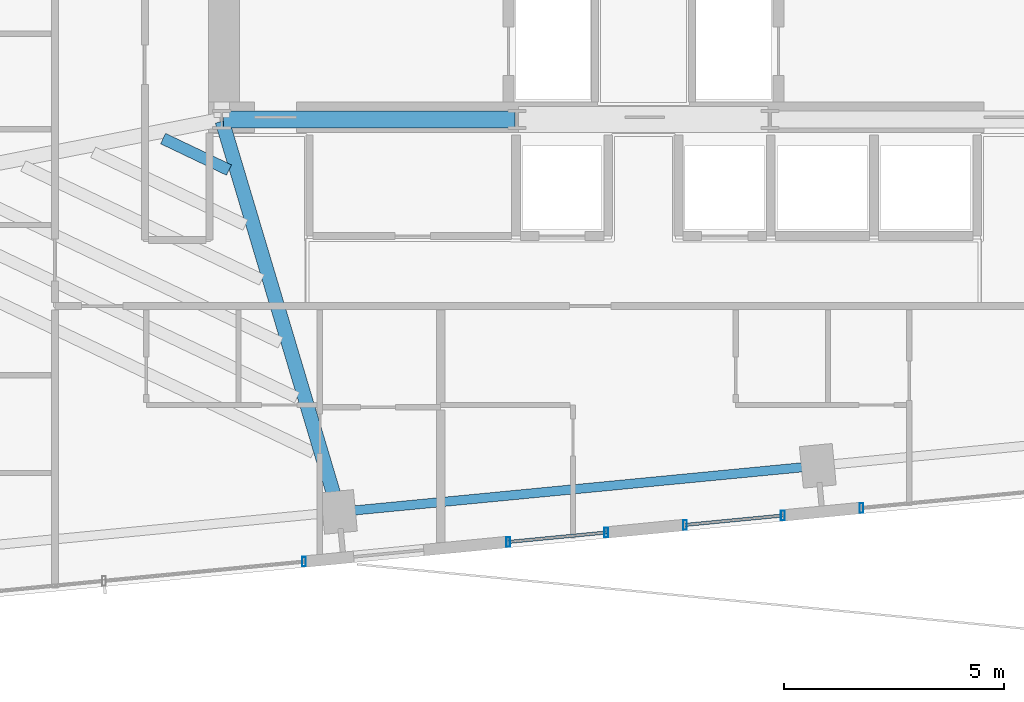
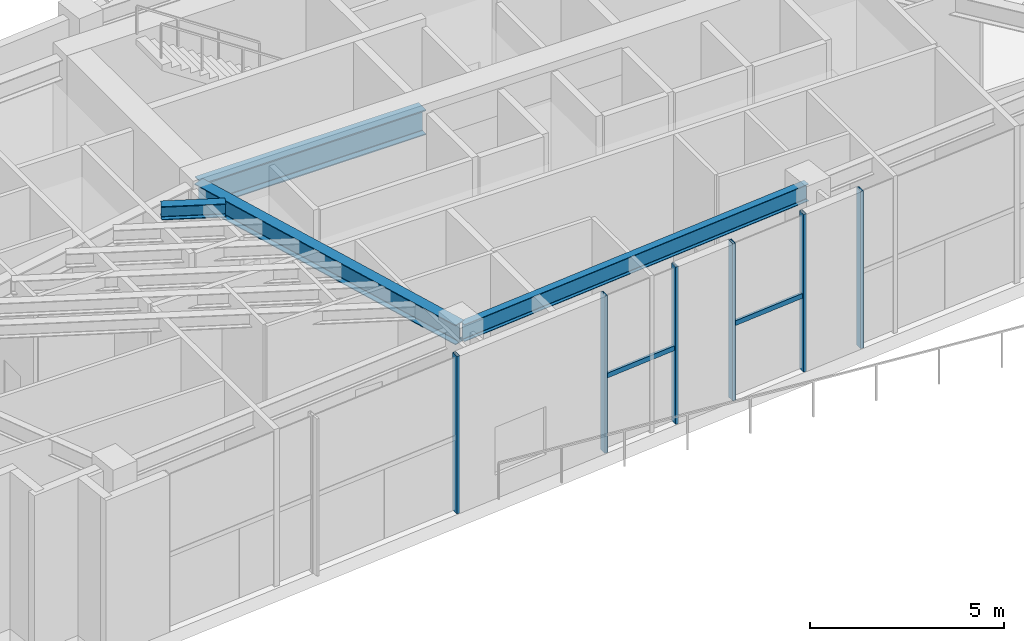
# One storey, part 4 of 21: 8 members, 4 beams, 4 elements without a shape of their own.
"""IFC4 building model written with IfcOpenShell, lengths in metres."""

from ifc_helpers import new_model, si_unit, direction, frame, origin, origin_2d, place, context, subcontext, project, spatial, hollow_rectangle, i_section, extrude, source, transform, mapped, material, material_profile, profile_set, type_object, type_shapes, element, aggregate, save


model = new_model("IFC4")

# Units and contexts
model_context = context("Model", 3, precision=1e-05, world=origin(), true_north=direction((0.0, 1.0)))
body_context = subcontext(model_context, "Body", "Model", "MODEL_VIEW")
ifc_project = project(units=[si_unit("LENGTHUNIT", "METRE"), si_unit("AREAUNIT", "SQUARE_METRE"), si_unit("VOLUMEUNIT", "CUBIC_METRE"), si_unit("PLANEANGLEUNIT", "RADIAN"), si_unit("MASSUNIT", "GRAM", prefix="KILO")], contexts=[model_context])

# Site, building, storey
site_placement = place(None, origin())
site = spatial("IfcSite", under=ifc_project, at=site_placement, CompositionType="ELEMENT")
building_placement = place(site_placement, origin())
building = spatial("IfcBuilding", under=site, at=building_placement, Name="Astriad Promenade Condominiums", CompositionType="ELEMENT")
storey_placement = place(building_placement, frame((0.0, 0.0, 167.800048828125)))
storey = spatial("IfcBuildingStorey", under=building, at=storey_placement, Name="L48", CompositionType="ELEMENT", Elevation=167.800048828125)

# Beams
ifc_material_1 = material(Name="Steel ASTM A992 Grade 50", Category="steel")
ifc_material_profile_1 = material_profile(ifc_material_1, i_section(OverallWidth=0.3837890625, OverallDepth=0.785888671875, WebThickness=0.019775390625, FlangeThickness=0.033447265625, FilletRadius=0.021484375, at=origin_2d()), Name="W30X211")
ifc_profile_set_1 = profile_set([ifc_material_profile_1], Name="Steel ASTM A992 Grade 50")
beam_type_1 = type_object("IfcBeamType", Name="STEEL FLOOR GIRDER W30X211", PredefinedType="BEAM", material=ifc_profile_set_1)
shared_shape_1 = source(origin(), body_context, "Body", "SweptSolid", [
    extrude(i_section(OverallWidth=0.3837890625, OverallDepth=0.785888671875, WebThickness=0.019775390625, FlangeThickness=0.033447265625, FilletRadius=0.021484375, at=origin_2d()), origin(), (0.0, 0.0, 1.0), 6.64013671875),
])
type_shapes(beam_type_1, [shared_shape_1])
beam_1_placement = place(storey_placement, frame((26.43994140625, 17.39990234375, 4.546875), z_axis=(1.0, 0.0, 0.0), x_axis=(0.0, 1.0, 0.0)))
element("IfcBeam", 1, at=beam_1_placement, inside=storey, type_object=beam_type_1, Name="Core Ring Beam CG-S1-L48", PredefinedType="BEAM", context=body_context, shape_type="MappedRepresentation", body=[
    mapped(shared_shape_1, transform((0.0, 0.0, 0.0), scale=1.0)),
])
ifc_material_profile_2 = material_profile(ifc_material_1, i_section(OverallWidth=0.210693359375, OverallDepth=0.53955078125, WebThickness=0.01171875, FlangeThickness=0.018798828125, FilletRadius=0.0166015625, at=origin_2d()), Name="W21X73")
ifc_profile_set_2 = profile_set([ifc_material_profile_2], Name="Steel ASTM A992 Grade 50")
beam_type_2 = type_object("IfcBeamType", Name="STEEL SPANDREL BEAM W21X73", PredefinedType="SPANDREL", material=ifc_profile_set_2)
shared_shape_2 = source(origin(), body_context, "Body", "SweptSolid", [
    extrude(i_section(OverallWidth=0.210693359375, OverallDepth=0.53955078125, WebThickness=0.01171875, FlangeThickness=0.018798828125, FilletRadius=0.0166015625, at=origin_2d()), origin(), (0.0, 0.0, 1.0), 10.8701171875),
])
type_shapes(beam_type_2, [shared_shape_2])
beam_2_placement = place(storey_placement, frame((29.10888671875, 8.47119140625, 4.670166015625), z_axis=(0.995394986184, 0.09585834069, 0.0), x_axis=(-0.09585834069, 0.995394986184, 0.0)))
element("IfcBeam", 2, at=beam_2_placement, inside=storey, type_object=beam_type_2, Name="Perimeter Spandrel Beam SP-S2-L48", PredefinedType="SPANDREL", context=body_context, shape_type="MappedRepresentation", body=[
    mapped(shared_shape_2, transform((0.0, 0.0, 0.0), scale=1.0)),
])
ifc_material_profile_3 = material_profile(ifc_material_1, i_section(OverallWidth=0.326416015625, OverallDepth=0.621826171875, WebThickness=0.015380859375, FlangeThickness=0.0244140625, FilletRadius=0.017822265625, at=origin_2d()), Name="W24X131")
ifc_profile_set_3 = profile_set([ifc_material_profile_3], Name="Steel ASTM A992 Grade 50")
beam_type_3 = type_object("IfcBeamType", Name="STEEL FLOOR GIRDER W24X131", PredefinedType="BEAM", material=ifc_profile_set_3)
shared_shape_3 = source(origin(), body_context, "Body", "SweptSolid", [
    extrude(i_section(OverallWidth=0.326416015625, OverallDepth=0.621826171875, WebThickness=0.015380859375, FlangeThickness=0.0244140625, FilletRadius=0.017822265625, at=origin_2d()), origin(), (0.0, 0.0, 1.0), 9.242919921875),
])
type_shapes(beam_type_3, [shared_shape_3])
beam_3_placement = place(storey_placement, frame((29.0576171875, 8.505615234375, 4.629150390625), z_axis=(-0.286269354745, 0.958149182818, 0.0), x_axis=(-0.958149182818, -0.286269354745, 0.0)))
element("IfcBeam", 3, at=beam_3_placement, inside=storey, type_object=beam_type_3, Name="Primary Floor Girder PG-W2-L48", PredefinedType="BEAM", context=body_context, shape_type="MappedRepresentation", body=[
    mapped(shared_shape_3, transform((0.0, 0.0, 0.0), scale=1.0)),
])
ifc_material_profile_4 = material_profile(ifc_material_1, i_section(OverallWidth=0.26318359375, OverallDepth=0.425537109375, WebThickness=0.01318359375, FlangeThickness=0.022216796875, FilletRadius=0.013916015625, at=origin_2d()), Name="W16X89")
ifc_profile_set_4 = profile_set([ifc_material_profile_4], Name="Steel ASTM A992 Grade 50")
beam_type_4 = type_object("IfcBeamType", Name="STEEL FLOOR JOIST W16X89", PredefinedType="JOIST", material=ifc_profile_set_4)
shared_shape_4 = source(origin(), body_context, "Body", "SweptSolid", [
    extrude(i_section(OverallWidth=0.26318359375, OverallDepth=0.425537109375, WebThickness=0.01318359375, FlangeThickness=0.022216796875, FilletRadius=0.013916015625, at=origin_2d()), origin(), (0.0, 0.0, 1.0), 1.6630859375),
])
type_shapes(beam_type_4, [shared_shape_4])
beam_4_placement = place(storey_placement, frame((25.065185546875, 16.965576171875, 4.727294921875), z_axis=(0.902355200591, -0.430993146077, 0.0), x_axis=(0.430993146077, 0.902355200591, 0.0)))
element("IfcBeam", 4, at=beam_4_placement, inside=storey, type_object=beam_type_4, Name="Secondary Composite Floor Joist JW1-6-L48", PredefinedType="JOIST", context=body_context, shape_type="MappedRepresentation", body=[
    mapped(shared_shape_4, transform((0.0, 0.0, 0.0), scale=1.0)),
])

# Curtain wall, member
ifc_material_2 = material(Name="Anodised aluminium Black Dark Glass Unitised", Category="aluminium")
curtain_wall_type = type_object("IfcCurtainWallType", Name="CW-B34-DARK", PredefinedType="USERDEFINED", material=ifc_material_2)
curtain_wall_1_placement = place(storey_placement, origin())
curtain_wall_1 = element("IfcCurtainWall", 5, at=curtain_wall_1_placement, inside=storey, type_object=curtain_wall_type, Name="CW-L48-S-2", ObjectType="UNITISED_CURTAIN_WALL", PredefinedType="USERDEFINED")
ifc_material_3 = material(Name="Anodised aluminium 6063-T6 Black", Category="aluminium")
ifc_material_profile_5 = material_profile(ifc_material_3, hollow_rectangle(XDim=0.0849609375, YDim=0.219970703125, WallThickness=0.0048828125, at=origin_2d()), Name="ALU-MUL-85X220")
ifc_profile_set_5 = profile_set([ifc_material_profile_5], Name="Anodised aluminium 6063-T6 Black")
member_type_1 = type_object("IfcMemberType", Name="MUL-ALU-MUL-85X220", PredefinedType="MULLION", material=ifc_profile_set_5)
shared_shape_5 = source(origin(), body_context, "Body", "SweptSolid", [
    extrude(hollow_rectangle(XDim=0.0849609375, YDim=0.219970703125, WallThickness=0.0048828125, at=origin_2d()), origin(), (0.0, 0.0, 1.0), 4.93994140625),
])
type_shapes(member_type_1, [shared_shape_5])
member_1_placement = place(storey_placement, frame((40.965087890625, 8.55810546875, 0.0), z_axis=(0.0, 0.0, 1.0), x_axis=(1.0, 0.0, 0.0)))
member_1 = element("IfcMember", 6, at=member_1_placement, type_object=member_type_1, Name="CW-L48-S-2-MUL-01", PredefinedType="MULLION", context=body_context, shape_type="MappedRepresentation", body=[
    mapped(shared_shape_5, transform((0.0, 0.0, 0.0), scale=1.0)),
])
aggregate(curtain_wall_1, [member_1])

# Curtain wall, members
curtain_wall_2_placement = place(storey_placement, origin())
curtain_wall_2 = element("IfcCurtainWall", 7, at=curtain_wall_2_placement, inside=storey, type_object=curtain_wall_type, Name="CW-L48-S-3", ObjectType="UNITISED_CURTAIN_WALL", PredefinedType="USERDEFINED")
member_2_placement = place(storey_placement, frame((39.17333984375, 8.385498046875, 0.0), z_axis=(0.0, 0.0, 1.0), x_axis=(1.0, 0.0, 0.0)))
member_2 = element("IfcMember", 8, at=member_2_placement, type_object=member_type_1, Name="CW-L48-S-3-MUL-00", PredefinedType="MULLION", context=body_context, shape_type="MappedRepresentation", body=[
    mapped(shared_shape_5, transform((0.0, 0.0, 0.0), scale=1.0)),
])
member_3_placement = place(storey_placement, frame((36.943603515625, 8.1708984375, 0.0), z_axis=(0.0, 0.0, 1.0), x_axis=(1.0, 0.0, 0.0)))
member_3 = element("IfcMember", 9, at=member_3_placement, type_object=member_type_1, Name="CW-L48-S-3-MUL-01", PredefinedType="MULLION", context=body_context, shape_type="MappedRepresentation", body=[
    mapped(shared_shape_5, transform((0.0, 0.0, 0.0), scale=1.0)),
])

curtain_wall_3_placement = place(storey_placement, origin())
curtain_wall_3 = element("IfcCurtainWall", 10, at=curtain_wall_3_placement, inside=storey, type_object=curtain_wall_type, Name="CW-L48-S-4", ObjectType="UNITISED_CURTAIN_WALL", PredefinedType="USERDEFINED")
member_4_placement = place(storey_placement, frame((35.152099609375, 7.998291015625, 0.0), z_axis=(0.0, 0.0, 1.0), x_axis=(1.0, 0.0, 0.0)))
member_4 = element("IfcMember", 11, at=member_4_placement, type_object=member_type_1, Name="CW-L48-S-4-MUL-00", PredefinedType="MULLION", context=body_context, shape_type="MappedRepresentation", body=[
    mapped(shared_shape_5, transform((0.0, 0.0, 0.0), scale=1.0)),
])
member_5_placement = place(storey_placement, frame((32.92236328125, 7.78369140625, 0.0), z_axis=(0.0, 0.0, 1.0), x_axis=(1.0, 0.0, 0.0)))
member_5 = element("IfcMember", 12, at=member_5_placement, type_object=member_type_1, Name="CW-L48-S-4-MUL-01", PredefinedType="MULLION", context=body_context, shape_type="MappedRepresentation", body=[
    mapped(shared_shape_5, transform((0.0, 0.0, 0.0), scale=1.0)),
])

# Curtain wall, member
curtain_wall_4_placement = place(storey_placement, origin())
curtain_wall_4 = element("IfcCurtainWall", 13, at=curtain_wall_4_placement, inside=storey, type_object=curtain_wall_type, Name="CW-L48-S-5", ObjectType="UNITISED_CURTAIN_WALL", PredefinedType="USERDEFINED")
member_6_placement = place(storey_placement, frame((28.273681640625, 7.3359375, 0.0), z_axis=(0.0, 0.0, 1.0), x_axis=(1.0, 0.0, 0.0)))
member_6 = element("IfcMember", 14, at=member_6_placement, type_object=member_type_1, Name="CW-L48-S-5-MUL-00", PredefinedType="MULLION", context=body_context, shape_type="MappedRepresentation", body=[
    mapped(shared_shape_5, transform((0.0, 0.0, 0.0), scale=1.0)),
])
aggregate(curtain_wall_4, [member_6])

# Member
ifc_material_profile_6 = material_profile(ifc_material_3, hollow_rectangle(XDim=0.074951171875, YDim=0.14990234375, WallThickness=0.004150390625, at=origin_2d()), Name="ALU-TRN-75X150")
ifc_profile_set_6 = profile_set([ifc_material_profile_6], Name="Anodised aluminium 6063-T6 Black")
member_type_2 = type_object("IfcMemberType", Name="TRN-ALU-TRN-75X150", PredefinedType="USERDEFINED", material=ifc_profile_set_6)
shared_shape_6 = source(origin(), body_context, "Body", "SweptSolid", [
    extrude(hollow_rectangle(XDim=0.074951171875, YDim=0.14990234375, WallThickness=0.004150390625, at=origin_2d()), origin(), (0.0, 0.0, 1.0), 2.239990234375),
])
type_shapes(member_type_2, [shared_shape_6])
member_7_placement = place(storey_placement, frame((39.17333984375, 8.385498046875, 2.349853515625), z_axis=(-0.995400438533, -0.095801706501, 0.0), x_axis=(0.095801706501, -0.995400438533, 0.0)))
member_7 = element("IfcMember", 15, at=member_7_placement, type_object=member_type_2, Name="CW-L48-S-3-TRN-00-0", ObjectType="TRANSOM", PredefinedType="USERDEFINED", context=body_context, shape_type="MappedRepresentation", body=[
    mapped(shared_shape_6, transform((0.0, 0.0, 0.0), scale=1.0)),
])

aggregate(curtain_wall_2, [member_2, member_3, member_7])

member_8_placement = place(storey_placement, frame((35.152099609375, 7.998291015625, 2.349853515625), z_axis=(-0.995400438533, -0.095801706501, 0.0), x_axis=(0.095801706501, -0.995400438533, 0.0)))
member_8 = element("IfcMember", 16, at=member_8_placement, type_object=member_type_2, Name="CW-L48-S-4-TRN-00-0", ObjectType="TRANSOM", PredefinedType="USERDEFINED", context=body_context, shape_type="MappedRepresentation", body=[
    mapped(shared_shape_6, transform((0.0, 0.0, 0.0), scale=1.0)),
])

aggregate(curtain_wall_3, [member_4, member_5, member_8])

save(model, "model.ifc")
